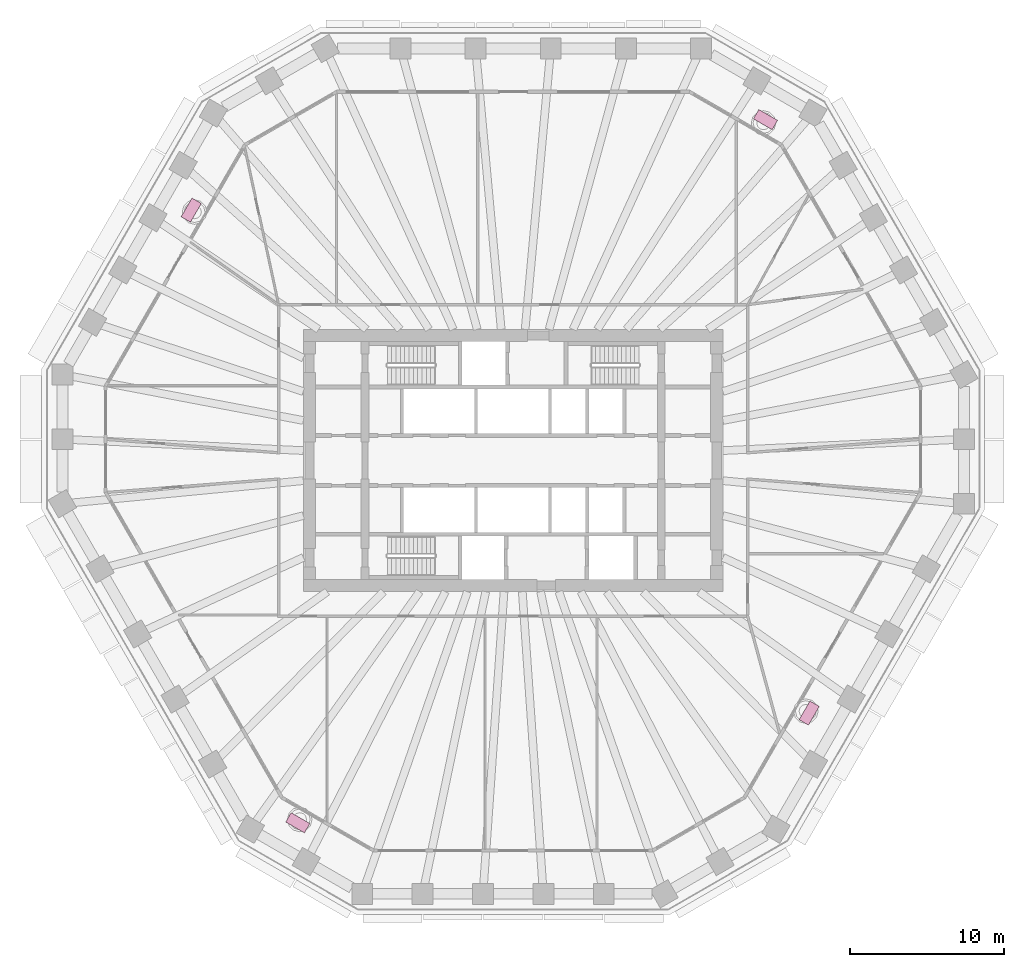
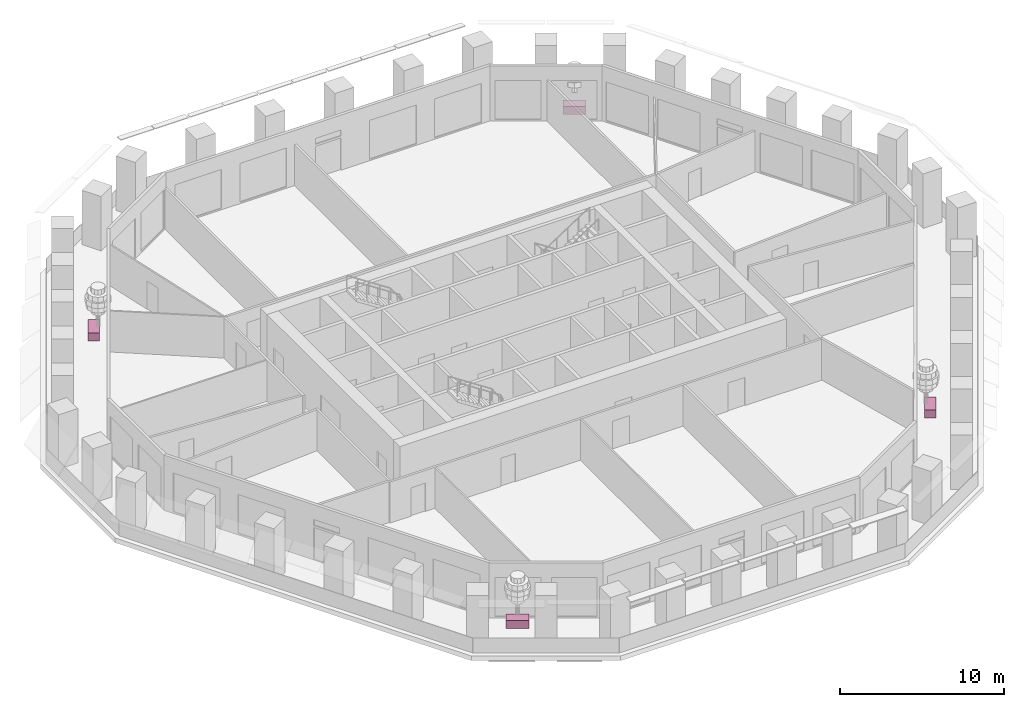
# One storey, part 11 of 12: 4 furniture elements.
"""IFC4 building model written with IfcOpenShell, lengths in metres."""

from ifc_helpers import new_model, si_unit, direction, frame, origin, origin_2d, place, context, subcontext, project, spatial, rectangle, extrude, material, type_object, element, save


model = new_model("IFC4")

# Units and contexts
model_context = context("Model", 3, precision=1e-05, world=origin(), true_north=direction((0.0, 1.0)))
body_context = subcontext(model_context, "Body", "Model", "MODEL_VIEW")
ifc_project = project(units=[si_unit("LENGTHUNIT", "METRE"), si_unit("AREAUNIT", "SQUARE_METRE"), si_unit("VOLUMEUNIT", "CUBIC_METRE"), si_unit("PLANEANGLEUNIT", "RADIAN"), si_unit("MASSUNIT", "GRAM", prefix="KILO")], contexts=[model_context])

# Site, building, storey
site_placement = place(None, origin())
site = spatial("IfcSite", under=ifc_project, at=site_placement, CompositionType="ELEMENT")
building_placement = place(site_placement, origin())
building = spatial("IfcBuilding", under=site, at=building_placement, Name="Frailejon Research Tower", CompositionType="ELEMENT")
storey_placement = place(building_placement, frame((0.0, 0.0, 130.800048828125)))
storey = spatial("IfcBuildingStorey", under=building, at=storey_placement, Name="L28", CompositionType="ELEMENT", Elevation=130.800048828125)

# Furniture
ifc_material = material(Name="Precast concrete C30/37 planter, terracotta", Category="masonry")
furniture_type = type_object("IfcFurnitureType", Name="Loggia planter 1400x700", AssemblyPlace="NOTDEFINED", PredefinedType="USERDEFINED", material=ifc_material)
for number, where, z_axis, x_axis, name in (
    (1, (16.35302734375, 22.0947265625, 0.0), (0.0, 0.0, 1.0), (-0.866025403784, 0.5, 0.0), "Planter L28"),
    (2, (-20.86328125, 16.229248046875, 0.0), (0.0, 0.0, 1.0), (-0.5, -0.866025403784, 0.0), "Planter L28"),
    (3, (-13.9580078125, -23.4775390625, 0.0), (0.0, 0.0, 1.0), (0.866025403784, -0.5, 0.0), "Planter L28"),
    (4, (19.186767578125, -16.367431640625, 0.0), (0.0, 0.0, 1.0), (0.5, 0.866025403784, 0.0), "Planter L28"),
):
    element("IfcFurniture", number, at=place(storey_placement, frame(where, z_axis=z_axis, x_axis=x_axis)), inside=storey, type_object=furniture_type, Name=name, ObjectType="PLANTER", PredefinedType="USERDEFINED", context=body_context, shape_type="SweptSolid", body=[
        extrude(rectangle(XDim=1.39990234375, YDim=0.699951171875, at=origin_2d()), origin(), (0.0, 0.0, 1.0), 0.60009765625),
    ])

save(model, "model.ifc")
